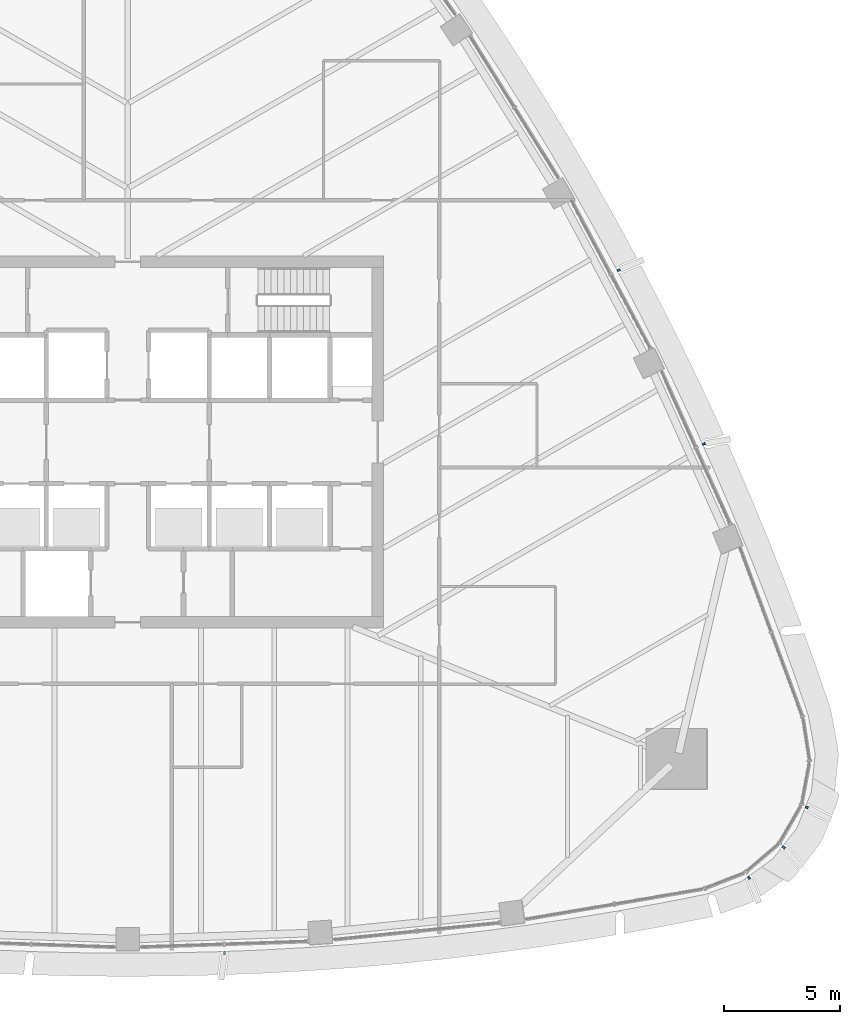
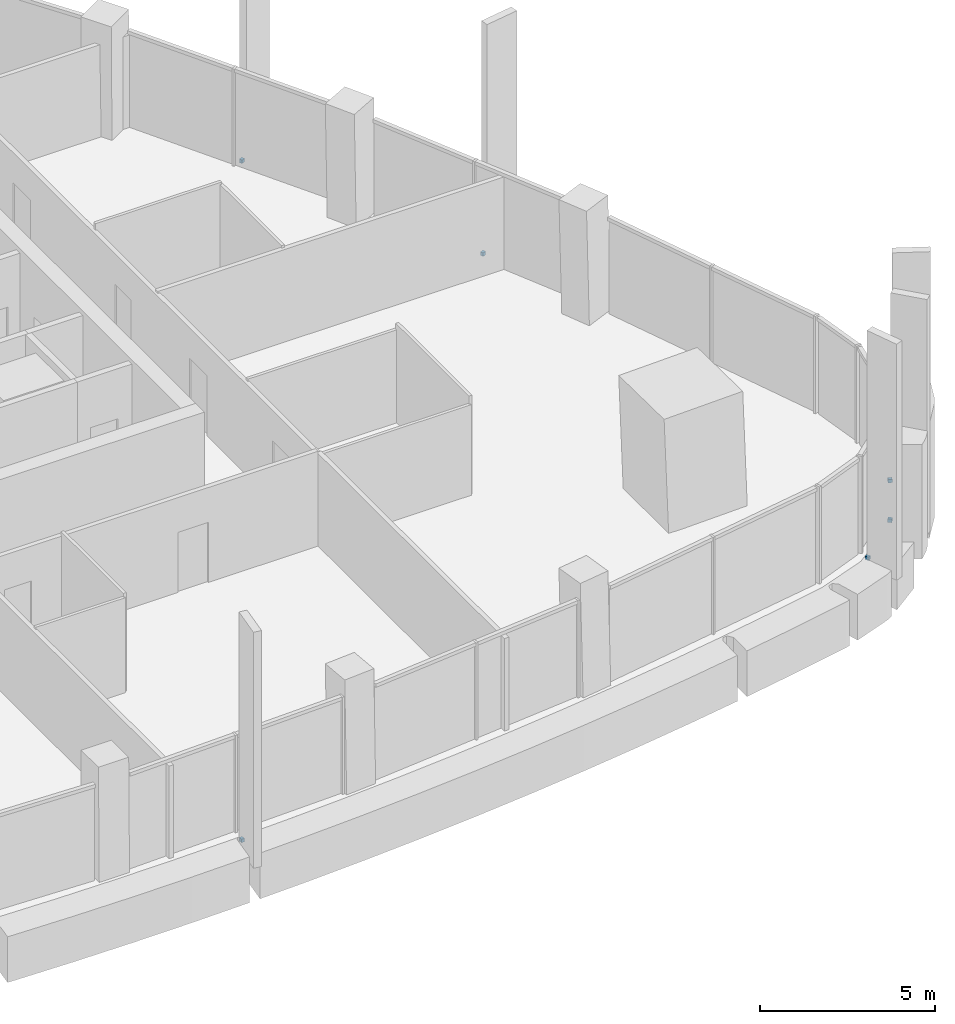
# One storey, part 14 of 19: 6 discrete accessories.
"""IFC4 building model written with IfcOpenShell, lengths in metres."""

import ifcopenshell
import ifcopenshell.guid

model = None  # the IFC model being written
_history = None  # IfcOwnerHistory: only IFC2X3 demands one
_inside = {}  # id of a spatial element -> (the spatial element, [elements in it])
_under = {}  # id of a project, library or spatial element -> (it, [spatial elements below it])
_declared = {}  # id of a project -> (the project, [libraries it declares])
_typed = {}  # id of a type object -> (the type object, [elements of that type])
_made_of = {}  # id of a material, layer set ... -> (it, [elements and type objects made of it])


def new_model(schema):
    """Start an empty IFC model of exactly this schema.

    Asked for "IFC4X3", IfcOpenShell would pick the latest addendum, in which some entities
    have other attributes; the version numbers below select the first issue.
    IFC2X3 requires an IfcOwnerHistory on every rooted entity: one is made here for all.
    """
    global model, _history
    if schema == "IFC4X3":
        model = ifcopenshell.file(schema_version=(4, 3, 0, 0))
    else:
        model = ifcopenshell.file(schema=schema)
    _inside.clear()
    _under.clear()
    _declared.clear()
    _typed.clear()
    _made_of.clear()
    _history = None
    if model.schema == "IFC2X3":
        org = make("IfcOrganization", Name="unknown")
        user = make(
            "IfcPersonAndOrganization",
            ThePerson=make("IfcPerson", FamilyName="unknown"),
            TheOrganization=org,
        )
        app = make(
            "IfcApplication",
            ApplicationDeveloper=org,
            Version="unknown",
            ApplicationFullName="unknown",
            ApplicationIdentifier="unknown",
        )
        _history = make(
            "IfcOwnerHistory",
            OwningUser=user,
            OwningApplication=app,
            ChangeAction="ADDED",
            CreationDate=0,
        )
    return model


def make(cls, **values):
    """One entity of the class cls with the attributes given. An attribute that is None is left unset."""
    return model.create_entity(
        cls, **{name: value for name, value in values.items() if value is not None}
    )


def rooted(cls, **values):
    """An entity with a GlobalId (a new one), such as an element, a storey or a relation."""
    return make(cls, GlobalId=ifcopenshell.guid.new(), OwnerHistory=_history, **values)


def si_unit(unit_type, name, prefix=None):
    """IfcSIUnit, for example si_unit("LENGTHUNIT", "METRE", prefix="MILLI")."""
    return make("IfcSIUnit", UnitType=unit_type, Prefix=prefix, Name=name)


def assignment(units):
    """IfcUnitAssignment: the units of a project."""
    return None if units is None else make("IfcUnitAssignment", Units=units)


def point(xyz):
    """IfcCartesianPoint."""
    return None if xyz is None else make("IfcCartesianPoint", Coordinates=xyz)


def direction(xyz):
    """IfcDirection."""
    return None if xyz is None else make("IfcDirection", DirectionRatios=xyz)


def frame(location, z_axis=None, x_axis=None):
    """IfcAxis2Placement3D, a coordinate frame: its origin and axes. An axis left out is left unset."""
    return make(
        "IfcAxis2Placement3D",
        Location=point(location),
        Axis=direction(z_axis),
        RefDirection=direction(x_axis),
    )


def frame_2d(location, x_axis=None):
    """IfcAxis2Placement2D, a coordinate frame in the plane: its origin and x axis."""
    return make(
        "IfcAxis2Placement2D", Location=point(location), RefDirection=direction(x_axis)
    )


def origin():
    """The frame at (0, 0, 0) with its axes left unset."""
    return frame((0.0, 0.0, 0.0))


def origin_2d():
    """The frame at (0, 0) in the plane with its x axis left unset."""
    return frame_2d((0.0, 0.0))


def place(relative_to, where):
    """IfcLocalPlacement: puts the frame where relative to a parent placement (None: the world)."""
    return make(
        "IfcLocalPlacement", PlacementRelTo=relative_to, RelativePlacement=where
    )


def context(
    kind, dimensions, precision=None, world=None, true_north=None, identifier=None
):
    """IfcGeometricRepresentationContext, for example the 3D "Model" context."""
    return make(
        "IfcGeometricRepresentationContext",
        ContextIdentifier=identifier,
        ContextType=kind,
        CoordinateSpaceDimension=dimensions,
        Precision=precision,
        WorldCoordinateSystem=world,
        TrueNorth=true_north,
    )


def subcontext(parent, identifier, kind, view, scale=None):
    """IfcGeometricRepresentationSubContext, for example "Body" below "Model"."""
    return make(
        "IfcGeometricRepresentationSubContext",
        ContextIdentifier=identifier,
        ContextType=kind,
        ParentContext=parent,
        TargetScale=scale,
        TargetView=view,
    )


def project(units=None, contexts=None):
    """IfcProject with its units and contexts."""
    return rooted(
        "IfcProject",
        Name="project",
        RepresentationContexts=contexts,
        UnitsInContext=assignment(units),
    )


def spatial(cls, under=None, at=None, **own):
    """A site, building, storey or space (cls), placed at a placement, below another one or the project."""
    s = rooted(cls, ObjectPlacement=at, **own)
    if under is not None:
        _under.setdefault(under.id(), (under, []))[1].append(s)
    return s


def profile(cls, at=None, kind="AREA", **sizes):
    """A parametric profile (cls). Its sizes go by their IFC names, for example OverallWidth=200.0."""
    return make(cls, ProfileType=kind, Position=at, **sizes)


def rectangle(**sizes):
    """IfcRectangleProfileDef."""
    return profile("IfcRectangleProfileDef", **sizes)


def extrude(swept, where, along, depth):
    """IfcExtrudedAreaSolid: the profile swept, set in the frame where, extruded along a direction by depth."""
    return make(
        "IfcExtrudedAreaSolid",
        SweptArea=swept,
        Position=where,
        ExtrudedDirection=direction(along),
        Depth=depth,
    )


def shape(context_of_items, identifier, shape_type, items):
    """IfcShapeRepresentation: the items that make up one representation, for example the "Body"."""
    return make(
        "IfcShapeRepresentation",
        ContextOfItems=context_of_items,
        RepresentationIdentifier=identifier,
        RepresentationType=shape_type,
        Items=items,
    )


def material(Name=None, Category=None):
    """IfcMaterial."""
    return make("IfcMaterial", Name=Name, Category=Category)


def made_of(thing, what):
    """Note that an element or type object is made of a material, layer set ...; save() writes the relation."""
    if what is not None:
        _made_of.setdefault(what.id(), (what, []))[1].append(thing)
    return thing


def type_object(cls, material=None, **own):
    """A type object (cls), such as IfcWallType, which elements share."""
    return made_of(rooted(cls, **own), material)


def element(
    cls,
    number,
    at=None,
    inside=None,
    cuts=None,
    type_object=None,
    material=None,
    context=None,
    identifier="Body",
    shape_type=None,
    held_by="IfcProductDefinitionShape",
    body=None,
    shapes=None,
    **own,
):
    """One element of the class cls, such as IfcWall. Its Tag is "e" and its number.

    at: its placement. inside: the storey or other place that contains it. cuts: it is an
    opening in that element (IfcRelVoidsElement). A single representation is given by context,
    identifier, shape_type and body (its items); several are given by shapes. held_by: the class
    of the entity that holds the representations. save() writes the other relations.
    """
    e = rooted(cls, Tag="e%d" % number, ObjectPlacement=at, **own)
    if body is not None:
        shapes = [shape(context, identifier, shape_type, body)]
    if shapes is not None:
        e.Representation = make(held_by, Representations=shapes)
    if inside is not None:
        _inside.setdefault(inside.id(), (inside, []))[1].append(e)
    if cuts is not None:
        rooted(
            "IfcRelVoidsElement", RelatingBuildingElement=cuts, RelatedOpeningElement=e
        )
    if type_object is not None:
        _typed.setdefault(type_object.id(), (type_object, []))[1].append(e)
    return made_of(e, material)


def aggregate(whole, parts):
    """IfcRelAggregates: a whole, such as a stair, and the parts it consists of."""
    return rooted("IfcRelAggregates", RelatingObject=whole, RelatedObjects=parts)


def save(model, path):
    """Write the relations noted so far, then the file.

    IfcRelAggregates (storeys below a building ...), IfcRelContainedInSpatialStructure (elements
    in a storey), IfcRelDefinesByType, IfcRelAssociatesMaterial and IfcRelDeclares: one each for
    every whole, place, type object, material and project.
    """
    for whole, parts in _under.values():
        aggregate(whole, parts)
    for where, things in _inside.values():
        rooted(
            "IfcRelContainedInSpatialStructure",
            RelatedElements=things,
            RelatingStructure=where,
        )
    for kind, things in _typed.values():
        rooted("IfcRelDefinesByType", RelatedObjects=things, RelatingType=kind)
    for what, things in _made_of.values():
        rooted("IfcRelAssociatesMaterial", RelatedObjects=things, RelatingMaterial=what)
    for by, libraries in _declared.values():
        rooted("IfcRelDeclares", RelatingContext=by, RelatedDefinitions=libraries)
    model.write(path)


model = new_model("IFC4")

# Units and contexts
model_context = context("Model", 3, precision=1e-05, world=origin(), true_north=direction((0.0, 1.0)))
body_context = subcontext(model_context, "Body", "Model", "MODEL_VIEW")
ifc_project = project(units=[si_unit("LENGTHUNIT", "METRE"), si_unit("AREAUNIT", "SQUARE_METRE"), si_unit("VOLUMEUNIT", "CUBIC_METRE"), si_unit("PLANEANGLEUNIT", "RADIAN"), si_unit("MASSUNIT", "GRAM", prefix="KILO")], contexts=[model_context])

# Site, building, storey
site_placement = place(None, origin())
site = spatial("IfcSite", under=ifc_project, at=site_placement, CompositionType="ELEMENT")
building_placement = place(site_placement, origin())
building = spatial("IfcBuilding", under=site, at=building_placement, Name="Sierra Prisma Convention Tower", CompositionType="ELEMENT")
storey_placement = place(building_placement, frame((0.0, 0.0, 177.800048828125)))
storey = spatial("IfcBuildingStorey", under=building, at=storey_placement, Name="L39", CompositionType="ELEMENT", Elevation=177.800048828125)

# Discrete accessories
ifc_material = material(Name="Stainless steel 316", Category="steel")
discrete_accessory_type = type_object("IfcDiscreteAccessoryType", Name="Fin bracket", PredefinedType="BRACKET", material=ifc_material)
for number, where, z_axis, x_axis, name in (
    (1, (4.163818359375, -21.97900390625, -0.135009765625), (0.0, 0.0, 1.0), (0.038958149603, -0.99924084313, 0.0), "Fin bracket L39.11 base"),
    (2, (26.72314453125, -18.747314453125, -0.135009765625), (0.0, 0.0, 1.0), (0.585028829053, -0.811012496314, 0.0), "Fin bracket L39.19 base"),
    (3, (28.216064453125, -17.436767578125, -0.135009765625), (0.0, 0.0, 1.0), (0.787311896577, -0.616554926595, 0.0), "Fin bracket L39.20 base"),
    (4, (29.208740234375, -15.717529296875, -0.135009765625), (0.0, 0.0, 1.0), (0.927608177548, -0.373554639839, 0.0), "Fin bracket L39.21 base"),
    (5, (24.779052734375, -0.0849609375, -0.135009765625), (0.0, 0.0, 1.0), (0.912156076063, 0.409843010068, 0.0), "Fin bracket L39.27 base"),
    (6, (21.116455078125, 7.383544921875, -0.135009765625), (0.0, 0.0, 1.0), (0.884847029451, 0.465881674324, 0.0), "Fin bracket L39.30 base"),
):
    element("IfcDiscreteAccessory", number, at=place(storey_placement, frame(where, z_axis=z_axis, x_axis=x_axis)), inside=storey, type_object=discrete_accessory_type, Name=name, PredefinedType="BRACKET", context=body_context, shape_type="SweptSolid", body=[
        extrude(rectangle(XDim=0.1201171875, YDim=0.10009765625, at=origin_2d()), origin(), (0.0, 0.0, 1.0), 0.1201171875),
    ])

save(model, "model.ifc")
